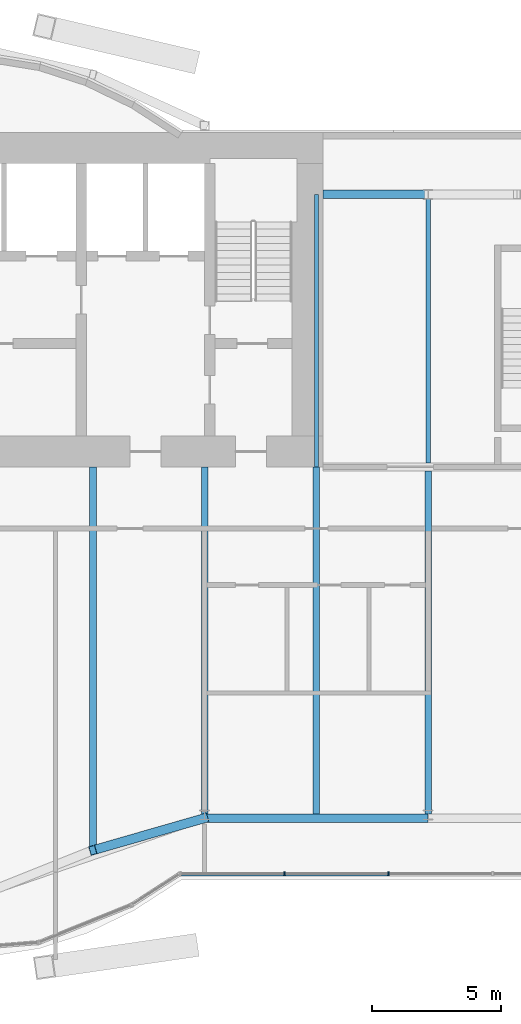
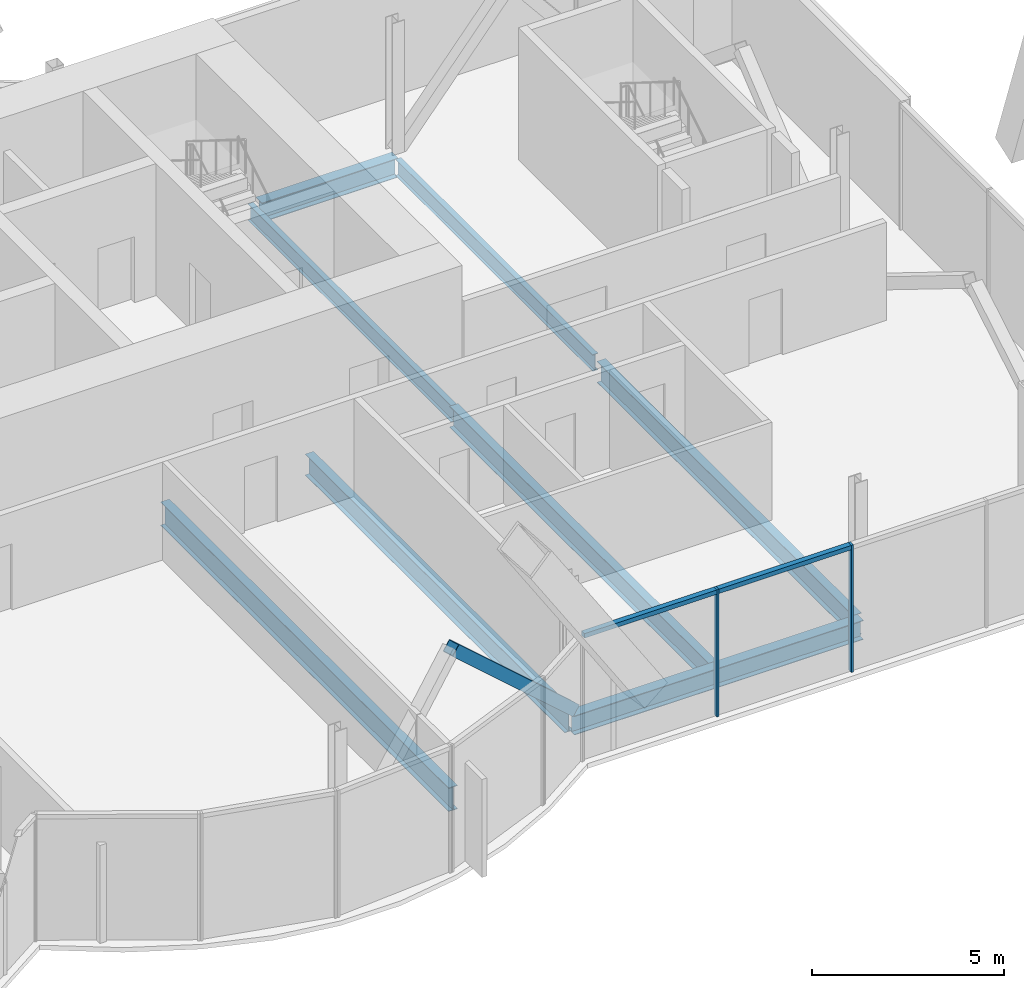
# One storey, part 11 of 23: 8 beams, 5 members, 1 element without a shape of its own.
"""IFC4 building model written with IfcOpenShell, lengths in metres."""

from ifc_helpers import new_model, si_unit, direction, frame, origin, origin_2d, place, context, subcontext, project, spatial, rectangle, hollow_rectangle, i_section, extrude, material, material_profile, profile_set, type_object, element, aggregate, save


model = new_model("IFC4")

# Units and contexts
model_context = context("Model", 3, precision=1e-05, world=origin(), true_north=direction((0.0, 1.0)))
body_context = subcontext(model_context, "Body", "Model", "MODEL_VIEW")
ifc_project = project(units=[si_unit("LENGTHUNIT", "METRE"), si_unit("AREAUNIT", "SQUARE_METRE"), si_unit("VOLUMEUNIT", "CUBIC_METRE"), si_unit("PLANEANGLEUNIT", "RADIAN"), si_unit("MASSUNIT", "GRAM", prefix="KILO")], contexts=[model_context])

# Site, building, storey
site_placement = place(None, origin())
site = spatial("IfcSite", under=ifc_project, at=site_placement, CompositionType="ELEMENT")
building_placement = place(site_placement, origin())
building = spatial("IfcBuilding", under=site, at=building_placement, Name="Bicima Exchange Tower", CompositionType="ELEMENT")
storey_placement = place(building_placement, frame((0.0, 0.0, 262.39990234375)))
storey = spatial("IfcBuildingStorey", under=building, at=storey_placement, Name="L59", CompositionType="ELEMENT", Elevation=262.39990234375)

# Beams
ifc_material_1 = material(Name="Steel ASTM A992 Gr 50", Category="steel")
ifc_material_profile_1 = material_profile(ifc_material_1, i_section(OverallWidth=0.165771484375, OverallDepth=0.5283203125, WebThickness=0.009765625, FlangeThickness=0.013671875, at=origin_2d()))
ifc_profile_set_1 = profile_set([ifc_material_profile_1], Name="Steel ASTM A992 Gr 50")
beam_type_1 = type_object("IfcBeamType", Name="Floor beam W21x50", PredefinedType="JOIST", material=ifc_profile_set_1)
beam_1_placement = place(storey_placement, frame((21.75, -2.39990234375, -0.4140625), z_axis=(0.0, -1.0, 0.0), x_axis=(1.0, 0.0, 0.0)))
element("IfcBeam", 1, at=beam_1_placement, inside=storey, type_object=beam_type_1, Name="Floor beam", PredefinedType="JOIST", context=body_context, shape_type="SweptSolid", body=[
    extrude(i_section(OverallWidth=0.165771484375, OverallDepth=0.5283203125, WebThickness=0.009765625, FlangeThickness=0.013671875, at=origin_2d()), origin(), (0.0, 0.0, 1.0), 10.60009765625),
])
beam_2_placement = place(storey_placement, frame((26.10009765625, -2.5625, -0.4140625), z_axis=(0.0, -1.0, 0.0), x_axis=(1.0, 0.0, 0.0)))
element("IfcBeam", 2, at=beam_2_placement, inside=storey, type_object=beam_type_1, Name="Floor beam", PredefinedType="JOIST", context=body_context, shape_type="SweptSolid", body=[
    extrude(i_section(OverallWidth=0.165771484375, OverallDepth=0.5283203125, WebThickness=0.009765625, FlangeThickness=0.013671875, at=origin_2d()), origin(), (0.0, 0.0, 1.0), 10.28515625),
])
ifc_material_profile_2 = material_profile(ifc_material_1, i_section(OverallWidth=0.25390625, OverallDepth=0.67822265625, WebThickness=0.01171875, FlangeThickness=0.016357421875, at=origin_2d()))
ifc_profile_set_2 = profile_set([ifc_material_profile_2], Name="Steel ASTM A992 Gr 50")
beam_type_2 = type_object("IfcBeamType", Name="Floor beam W27x84", PredefinedType="JOIST", material=ifc_profile_set_2)
beam_3_placement = place(storey_placement, frame((17.39990234375, -13.0, -0.489013671875), z_axis=(0.0, -1.0, 0.0), x_axis=(1.0, 0.0, 0.0)))
element("IfcBeam", 3, at=beam_3_placement, inside=storey, type_object=beam_type_2, Name="Floor beam", PredefinedType="JOIST", context=body_context, shape_type="SweptSolid", body=[
    extrude(i_section(OverallWidth=0.25390625, OverallDepth=0.67822265625, WebThickness=0.01171875, FlangeThickness=0.016357421875, at=origin_2d()), origin(), (0.0, 0.0, 1.0), 13.532470703125),
])
beam_4_placement = place(storey_placement, frame((21.75, -13.0, -0.489013671875), z_axis=(0.0, -1.0, 0.0), x_axis=(1.0, 0.0, 0.0)))
element("IfcBeam", 4, at=beam_4_placement, inside=storey, type_object=beam_type_2, Name="Floor beam", PredefinedType="JOIST", context=body_context, shape_type="SweptSolid", body=[
    extrude(i_section(OverallWidth=0.25390625, OverallDepth=0.67822265625, WebThickness=0.01171875, FlangeThickness=0.016357421875, at=origin_2d()), origin(), (0.0, 0.0, 1.0), 13.50537109375),
])
beam_5_placement = place(storey_placement, frame((26.10009765625, -13.15234375, -0.489013671875), z_axis=(0.0, -1.0, 0.0), x_axis=(1.0, 0.0, 0.0)))
element("IfcBeam", 5, at=beam_5_placement, inside=storey, type_object=beam_type_2, Name="Floor beam", PredefinedType="JOIST", context=body_context, shape_type="SweptSolid", body=[
    extrude(i_section(OverallWidth=0.25390625, OverallDepth=0.67822265625, WebThickness=0.01171875, FlangeThickness=0.016357421875, at=origin_2d()), origin(), (0.0, 0.0, 1.0), 13.35302734375),
])
ifc_material_profile_3 = material_profile(ifc_material_1, i_section(OverallWidth=0.2666015625, OverallDepth=0.75439453125, WebThickness=0.01318359375, FlangeThickness=0.01708984375, at=origin_2d()))
ifc_profile_set_3 = profile_set([ifc_material_profile_3], Name="Steel ASTM A992 Gr 50")
beam_type_3 = type_object("IfcBeamType", Name="Floor beam W30x99", PredefinedType="JOIST", material=ifc_profile_set_3)
beam_6_placement = place(storey_placement, frame((13.050048828125, -13.0, -0.527099609375), z_axis=(0.0, -1.0, 0.0), x_axis=(1.0, 0.0, 0.0)))
element("IfcBeam", 6, at=beam_6_placement, inside=storey, type_object=beam_type_3, Name="Floor beam", PredefinedType="JOIST", context=body_context, shape_type="SweptSolid", body=[
    extrude(i_section(OverallWidth=0.2666015625, OverallDepth=0.75439453125, WebThickness=0.01318359375, FlangeThickness=0.01708984375, at=origin_2d()), origin(), (0.0, 0.0, 1.0), 15.02783203125),
])
ifc_material_profile_4 = material_profile(ifc_material_1, i_section(OverallWidth=0.3251953125, OverallDepth=0.612060546875, WebThickness=0.0126953125, FlangeThickness=0.01904296875, at=origin_2d()))
ifc_profile_set_4 = profile_set([ifc_material_profile_4], Name="Steel ASTM A992 Gr 50")
beam_type_4 = type_object("IfcBeamType", Name="Front girder W24x104", PredefinedType="BEAM", material=ifc_profile_set_4)
beam_7_placement = place(storey_placement, frame((17.39990234375, -26.66796875, -0.4560546875), z_axis=(1.0, 0.0, 0.0), x_axis=(0.0, 1.0, 0.0)))
element("IfcBeam", 7, at=beam_7_placement, inside=storey, type_object=beam_type_4, Name="Front girder", PredefinedType="BEAM", context=body_context, shape_type="SweptSolid", body=[
    extrude(i_section(OverallWidth=0.3251953125, OverallDepth=0.612060546875, WebThickness=0.0126953125, FlangeThickness=0.01904296875, at=origin_2d()), origin(), (0.0, 0.0, 1.0), 8.7001953125),
])

# Curtain wall, members
ifc_material_2 = material(Name="Anodised bronze aluminium", Category="aluminium")
curtain_wall_type = type_object("IfcCurtainWallType", Name="Front glass wall", PredefinedType="NOTDEFINED", material=ifc_material_2)
curtain_wall_placement = place(storey_placement, origin())
curtain_wall = element("IfcCurtainWall", 8, at=curtain_wall_placement, inside=storey, type_object=curtain_wall_type, Name="Front glass wall L59 run 16", PredefinedType="NOTDEFINED")
ifc_material_profile_5 = material_profile(ifc_material_2, rectangle(XDim=0.159912109375, YDim=0.06005859375, at=origin_2d()))
ifc_profile_set_5 = profile_set([ifc_material_profile_5], Name="Anodised bronze aluminium")
member_type_1 = type_object("IfcMemberType", Name="Front glass wall mullion 60 x 160", PredefinedType="MULLION", material=ifc_profile_set_5)
member_1_placement = place(storey_placement, frame((20.51171875, -28.837890625, 0.0), z_axis=(0.0, 0.0, 1.0), x_axis=(0.0, 1.0, 0.0)))
member_1 = element("IfcMember", 9, at=member_1_placement, type_object=member_type_1, Name="Front glass wall mullion 2", PredefinedType="MULLION", context=body_context, shape_type="SweptSolid", body=[
    extrude(rectangle(XDim=0.159912109375, YDim=0.06005859375, at=origin_2d()), origin(), (0.0, 0.0, 1.0), 4.050048828125),
])
member_2_placement = place(storey_placement, frame((24.56103515625, -28.837890625, 0.0), z_axis=(0.0, 0.0, 1.0), x_axis=(0.0, 1.0, 0.0)))
member_2 = element("IfcMember", 10, at=member_2_placement, type_object=member_type_1, Name="Front glass wall mullion 3", PredefinedType="MULLION", context=body_context, shape_type="SweptSolid", body=[
    extrude(rectangle(XDim=0.159912109375, YDim=0.06005859375, at=origin_2d()), origin(), (0.0, 0.0, 1.0), 4.050048828125),
])
ifc_material_profile_6 = material_profile(ifc_material_2, rectangle(XDim=0.159912109375, YDim=0.139892578125, at=origin_2d()))
ifc_profile_set_6 = profile_set([ifc_material_profile_6], Name="Anodised bronze aluminium")
member_type_2 = type_object("IfcMemberType", Name="Front glass wall transom 140 x 160", PredefinedType="USERDEFINED", material=ifc_profile_set_6)
member_3_placement = place(storey_placement, frame((16.4921875, -28.837890625, 3.97998046875), z_axis=(1.0, 0.0, 0.0), x_axis=(0.0, 1.0, 0.0)))
member_3 = element("IfcMember", 11, at=member_3_placement, type_object=member_type_2, Name="Front glass wall transom 1.1", ObjectType="TRANSOM", PredefinedType="USERDEFINED", context=body_context, shape_type="SweptSolid", body=[
    extrude(rectangle(XDim=0.159912109375, YDim=0.139892578125, at=origin_2d()), origin(), (0.0, 0.0, 1.0), 3.989501953125),
])
member_4_placement = place(storey_placement, frame((20.54150390625, -28.837890625, 3.97998046875), z_axis=(1.0, 0.0, 0.0), x_axis=(0.0, 1.0, 0.0)))
member_4 = element("IfcMember", 12, at=member_4_placement, type_object=member_type_2, Name="Front glass wall transom 2.1", ObjectType="TRANSOM", PredefinedType="USERDEFINED", context=body_context, shape_type="SweptSolid", body=[
    extrude(rectangle(XDim=0.159912109375, YDim=0.139892578125, at=origin_2d()), origin(), (0.0, 0.0, 1.0), 3.989501953125),
])
aggregate(curtain_wall, [member_1, member_2, member_3, member_4])

# Member
ifc_material_3 = material(Name="Steel ASTM A572 Gr 50", Category="steel")
ifc_material_profile_7 = material_profile(ifc_material_3, hollow_rectangle(XDim=0.355712890625, YDim=0.355712890625, WallThickness=0.0146484375, at=origin_2d()))
ifc_profile_set_7 = profile_set([ifc_material_profile_7], Name="Steel ASTM A572 Gr 50")
member_type_3 = type_object("IfcMemberType", Name="Mega brace HSS14x14x5/8", PredefinedType="BRACE", material=ifc_profile_set_7)
member_5_placement = place(storey_placement, frame((17.39990234375, -26.66796875, 0.0), z_axis=(-0.704444447846, -0.20267060895, 0.680207794844), x_axis=(0.27648739579, -0.961017544049, 0.0)))
element("IfcMember", 13, at=member_5_placement, inside=storey, type_object=member_type_3, Name="Mega brace front", PredefinedType="BRACE", context=body_context, shape_type="SweptSolid", body=[
    extrude(hollow_rectangle(XDim=0.355712890625, YDim=0.355712890625, WallThickness=0.0146484375, at=origin_2d()), origin(), (0.0, 0.0, 1.0), 6.1748046875),
])

# Beam
beam_type_5 = type_object("IfcBeamType", Name="Rear girder W24x104", PredefinedType="BEAM", material=ifc_profile_set_4)
beam_8_placement = place(storey_placement, frame((22.0, -2.39990234375, -0.4560546875), z_axis=(1.0, 0.0, 0.0), x_axis=(0.0, 1.0, 0.0)))
element("IfcBeam", 14, at=beam_8_placement, inside=storey, type_object=beam_type_5, Name="Rear girder", PredefinedType="BEAM", context=body_context, shape_type="SweptSolid", body=[
    extrude(i_section(OverallWidth=0.3251953125, OverallDepth=0.612060546875, WebThickness=0.0126953125, FlangeThickness=0.01904296875, at=origin_2d()), origin(), (0.0, 0.0, 1.0), 4.10009765625),
])

save(model, "model.ifc")
